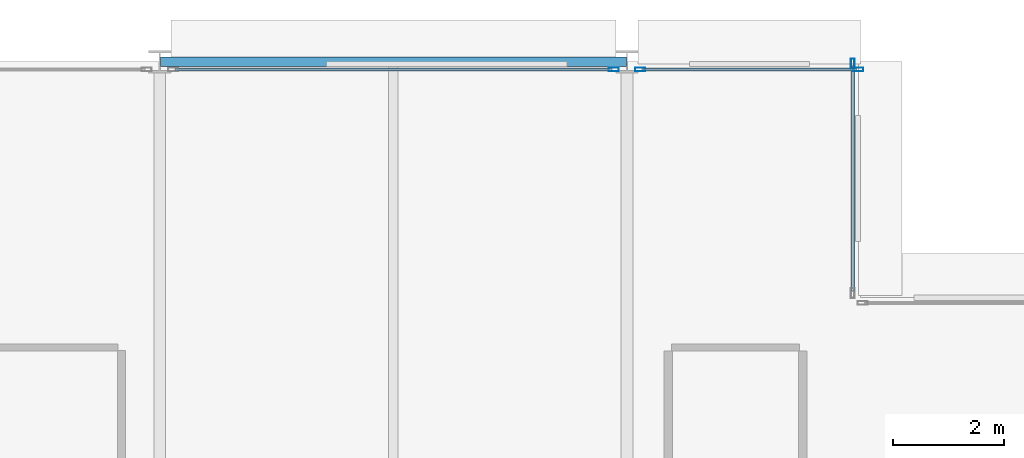
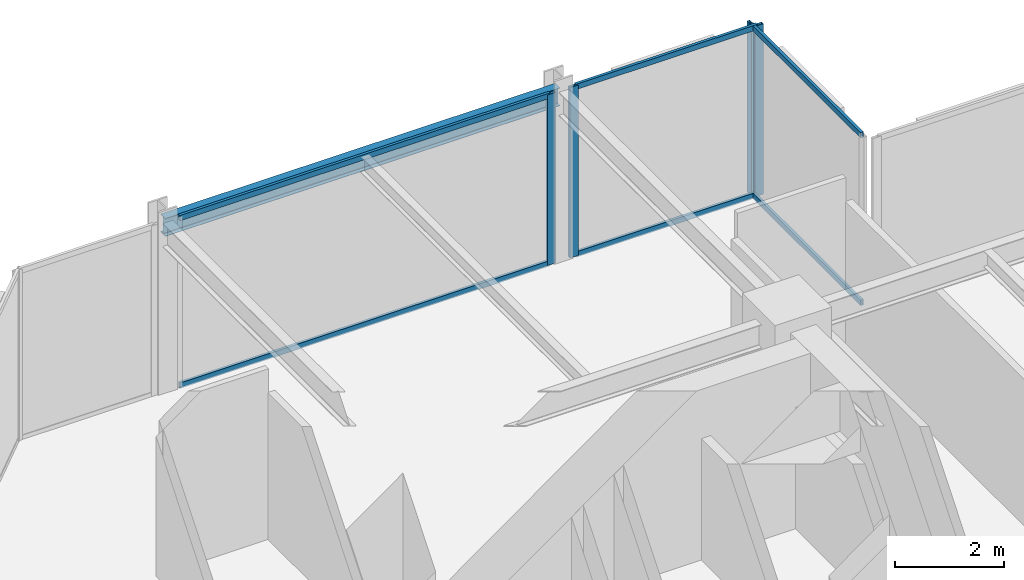
# One storey, part 30 of 39: 10 members, 1 beam, 3 elements without a shape of their own.
"""IFC4 building model written with IfcOpenShell, lengths in metres."""

from ifc_helpers import new_model, si_unit, direction, frame, origin, origin_2d, place, context, subcontext, project, spatial, hollow_rectangle, i_section, extrude, material, layer, layer_set, material_profile, profile_set, type_object, element, aggregate, save


model = new_model("IFC4")

# Units and contexts
model_context = context("Model", 3, precision=1e-05, world=origin(), true_north=direction((0.0, 1.0)))
body_context = subcontext(model_context, "Body", "Model", "MODEL_VIEW")
ifc_project = project(units=[si_unit("LENGTHUNIT", "METRE"), si_unit("AREAUNIT", "SQUARE_METRE"), si_unit("VOLUMEUNIT", "CUBIC_METRE"), si_unit("PLANEANGLEUNIT", "RADIAN"), si_unit("MASSUNIT", "GRAM", prefix="KILO")], contexts=[model_context])

# Site, building, storey
site_placement = place(None, origin())
site = spatial("IfcSite", under=ifc_project, at=site_placement, CompositionType="ELEMENT")
building_placement = place(site_placement, origin())
building = spatial("IfcBuilding", under=site, at=building_placement, Name="Nerrivon Quay Data Exchange", CompositionType="ELEMENT")
storey_placement = place(building_placement, frame((0.0, 0.0, 92.60009765625)))
storey = spatial("IfcBuildingStorey", under=building, at=storey_placement, Name="L21", CompositionType="ELEMENT", Elevation=92.60009765625)

# Beam
ifc_material_1 = material(Name="Steel Grade 350", Category="steel")
ifc_material_profile_1 = material_profile(ifc_material_1, i_section(OverallWidth=0.177978515625, OverallDepth=0.403076171875, WebThickness=0.007568359375, FlangeThickness=0.010986328125, FilletRadius=0.011474609375, at=origin_2d()), Name="410UB53.7")
ifc_profile_set_1 = profile_set([ifc_material_profile_1], Name="Steel Grade 350")
beam_type = type_object("IfcBeamType", Name="BM-SP2-410UB54", PredefinedType="SPANDREL", material=ifc_profile_set_1)
beam_placement = place(storey_placement, frame((8.41259765625, 50.39990234375, 3.623291015625), z_axis=(1.0, 0.0, 0.0), x_axis=(0.0, 1.0, 0.0)))
element("IfcBeam", 1, at=beam_placement, inside=storey, type_object=beam_type, Name="L21 EW Girder Y=50.4 (8.4..16.8)", PredefinedType="SPANDREL", context=body_context, shape_type="SweptSolid", body=[
    extrude(i_section(OverallWidth=0.177978515625, OverallDepth=0.403076171875, WebThickness=0.007568359375, FlangeThickness=0.010986328125, FilletRadius=0.011474609375, at=origin_2d()), origin(), (0.0, 0.0, 1.0), 8.375),
])

# Curtain wall, member
ifc_material_2 = material(Name="Anodised aluminium 6063-T6", Category="aluminium")
ifc_layer = layer(ifc_material_2, 0.2099609375)
ifc_layer_set = layer_set([ifc_layer], Name="Anodised aluminium 6063-T6")
curtain_wall_type = type_object("IfcCurtainWallType", Name="CW-SYS-02", PredefinedType="NOTDEFINED", material=ifc_layer_set)
curtain_wall_1_placement = place(storey_placement, origin())
curtain_wall_1 = element("IfcCurtainWall", 2, at=curtain_wall_1_placement, inside=storey, type_object=curtain_wall_type, Name="L21 Unitised Curtain Wall 25", PredefinedType="NOTDEFINED")
ifc_material_profile_2 = material_profile(ifc_material_2, hollow_rectangle(XDim=0.06494140625, YDim=0.179931640625, WallThickness=0.00341796875, at=origin_2d()), Name="ALU-MULL-180x65")
ifc_profile_set_2 = profile_set([ifc_material_profile_2], Name="Anodised aluminium 6063-T6")
member_type_1 = type_object("IfcMemberType", Name="CWM-180x65", PredefinedType="MULLION", material=ifc_profile_set_2)
member_1_placement = place(storey_placement, frame((16.5625, 50.260009765625, 0.0), z_axis=(0.0, 0.0, 1.0), x_axis=(0.0, 1.0, 0.0)))
member_1 = element("IfcMember", 3, at=member_1_placement, type_object=member_type_1, Name="CW02 mullion 2", PredefinedType="MULLION", context=body_context, shape_type="SweptSolid", body=[
    extrude(hollow_rectangle(XDim=0.06494140625, YDim=0.179931640625, WallThickness=0.00341796875, at=origin_2d()), origin(), (0.0, 0.0, 1.0), 3.824951171875),
])

# Curtain wall, members
curtain_wall_2_placement = place(storey_placement, origin())
curtain_wall_2 = element("IfcCurtainWall", 4, at=curtain_wall_2_placement, inside=storey, type_object=curtain_wall_type, Name="L21 Unitised Curtain Wall 26", PredefinedType="NOTDEFINED")
member_2_placement = place(storey_placement, frame((17.03759765625, 50.260009765625, 0.0), z_axis=(0.0, 0.0, 1.0), x_axis=(0.0, 1.0, 0.0)))
member_2 = element("IfcMember", 5, at=member_2_placement, type_object=member_type_1, Name="CW02 mullion 1", PredefinedType="MULLION", context=body_context, shape_type="SweptSolid", body=[
    extrude(hollow_rectangle(XDim=0.06494140625, YDim=0.179931640625, WallThickness=0.00341796875, at=origin_2d()), origin(), (0.0, 0.0, 1.0), 3.824951171875),
])
member_3_placement = place(storey_placement, frame((20.96240234375, 50.260009765625, 0.0), z_axis=(0.0, 0.0, 1.0), x_axis=(0.0, 1.0, 0.0)))
member_3 = element("IfcMember", 6, at=member_3_placement, type_object=member_type_1, Name="CW02 mullion 2", PredefinedType="MULLION", context=body_context, shape_type="SweptSolid", body=[
    extrude(hollow_rectangle(XDim=0.06494140625, YDim=0.179931640625, WallThickness=0.00341796875, at=origin_2d()), origin(), (0.0, 0.0, 1.0), 3.824951171875),
])

# Curtain wall, member
curtain_wall_3_placement = place(storey_placement, origin())
curtain_wall_3 = element("IfcCurtainWall", 7, at=curtain_wall_3_placement, inside=storey, type_object=curtain_wall_type, Name="L21 Unitised Curtain Wall 27", PredefinedType="NOTDEFINED")
member_4_placement = place(storey_placement, frame((20.860107421875, 50.362548828125, 0.0), z_axis=(0.0, 0.0, 1.0), x_axis=(1.0, 0.0, 0.0)))
member_4 = element("IfcMember", 8, at=member_4_placement, type_object=member_type_1, Name="CW02 mullion 1", PredefinedType="MULLION", context=body_context, shape_type="SweptSolid", body=[
    extrude(hollow_rectangle(XDim=0.06494140625, YDim=0.179931640625, WallThickness=0.00341796875, at=origin_2d()), origin(), (0.0, 0.0, 1.0), 3.824951171875),
])

# Member
ifc_material_profile_3 = material_profile(ifc_material_2, hollow_rectangle(XDim=0.06005859375, YDim=0.1201171875, WallThickness=0.003173828125, at=origin_2d()), Name="ALU-TRAN-120x60")
ifc_profile_set_3 = profile_set([ifc_material_profile_3], Name="Anodised aluminium 6063-T6")
member_type_2 = type_object("IfcMemberType", Name="CWT-120x60", PredefinedType="USERDEFINED", material=ifc_profile_set_3)
member_5_placement = place(storey_placement, frame((8.675048828125, 50.260009765625, 0.032470703125), z_axis=(1.0, 0.0, 0.0), x_axis=(0.0, 1.0, 0.0)))
member_5 = element("IfcMember", 9, at=member_5_placement, type_object=member_type_2, Name="CW02 transom 1.1", ObjectType="TRANSOM", PredefinedType="USERDEFINED", context=body_context, shape_type="SweptSolid", body=[
    extrude(hollow_rectangle(XDim=0.06005859375, YDim=0.1201171875, WallThickness=0.003173828125, at=origin_2d()), origin(), (0.0, 0.0, 1.0), 7.849853515625),
])

member_6_placement = place(storey_placement, frame((8.675048828125, 50.260009765625, 3.79248046875), z_axis=(1.0, 0.0, 0.0), x_axis=(0.0, 1.0, 0.0)))
member_6 = element("IfcMember", 10, at=member_6_placement, type_object=member_type_2, Name="CW02 transom 1.2", ObjectType="TRANSOM", PredefinedType="USERDEFINED", context=body_context, shape_type="SweptSolid", body=[
    extrude(hollow_rectangle(XDim=0.06005859375, YDim=0.1201171875, WallThickness=0.003173828125, at=origin_2d()), origin(), (0.0, 0.0, 1.0), 7.849853515625),
])

aggregate(curtain_wall_1, [member_1, member_5, member_6])

member_7_placement = place(storey_placement, frame((17.074951171875, 50.260009765625, 0.032470703125), z_axis=(1.0, 0.0, 0.0), x_axis=(0.0, 1.0, 0.0)))
member_7 = element("IfcMember", 11, at=member_7_placement, type_object=member_type_2, Name="CW02 transom 1.1", ObjectType="TRANSOM", PredefinedType="USERDEFINED", context=body_context, shape_type="SweptSolid", body=[
    extrude(hollow_rectangle(XDim=0.06005859375, YDim=0.1201171875, WallThickness=0.003173828125, at=origin_2d()), origin(), (0.0, 0.0, 1.0), 3.85009765625),
])

member_8_placement = place(storey_placement, frame((17.074951171875, 50.260009765625, 3.79248046875), z_axis=(1.0, 0.0, 0.0), x_axis=(0.0, 1.0, 0.0)))
member_8 = element("IfcMember", 12, at=member_8_placement, type_object=member_type_2, Name="CW02 transom 1.2", ObjectType="TRANSOM", PredefinedType="USERDEFINED", context=body_context, shape_type="SweptSolid", body=[
    extrude(hollow_rectangle(XDim=0.06005859375, YDim=0.1201171875, WallThickness=0.003173828125, at=origin_2d()), origin(), (0.0, 0.0, 1.0), 3.85009765625),
])

aggregate(curtain_wall_2, [member_2, member_3, member_7, member_8])

member_9_placement = place(storey_placement, frame((20.860107421875, 50.324951171875, 0.032470703125), z_axis=(0.0, -1.0, 0.0), x_axis=(1.0, 0.0, 0.0)))
member_9 = element("IfcMember", 13, at=member_9_placement, type_object=member_type_2, Name="CW02 transom 1.1", ObjectType="TRANSOM", PredefinedType="USERDEFINED", context=body_context, shape_type="SweptSolid", body=[
    extrude(hollow_rectangle(XDim=0.06005859375, YDim=0.1201171875, WallThickness=0.003173828125, at=origin_2d()), origin(), (0.0, 0.0, 1.0), 4.050048828125),
])

member_10_placement = place(storey_placement, frame((20.860107421875, 50.324951171875, 3.79248046875), z_axis=(0.0, -1.0, 0.0), x_axis=(1.0, 0.0, 0.0)))
member_10 = element("IfcMember", 14, at=member_10_placement, type_object=member_type_2, Name="CW02 transom 1.2", ObjectType="TRANSOM", PredefinedType="USERDEFINED", context=body_context, shape_type="SweptSolid", body=[
    extrude(hollow_rectangle(XDim=0.06005859375, YDim=0.1201171875, WallThickness=0.003173828125, at=origin_2d()), origin(), (0.0, 0.0, 1.0), 4.050048828125),
])

aggregate(curtain_wall_3, [member_4, member_9, member_10])

save(model, "model.ifc")
